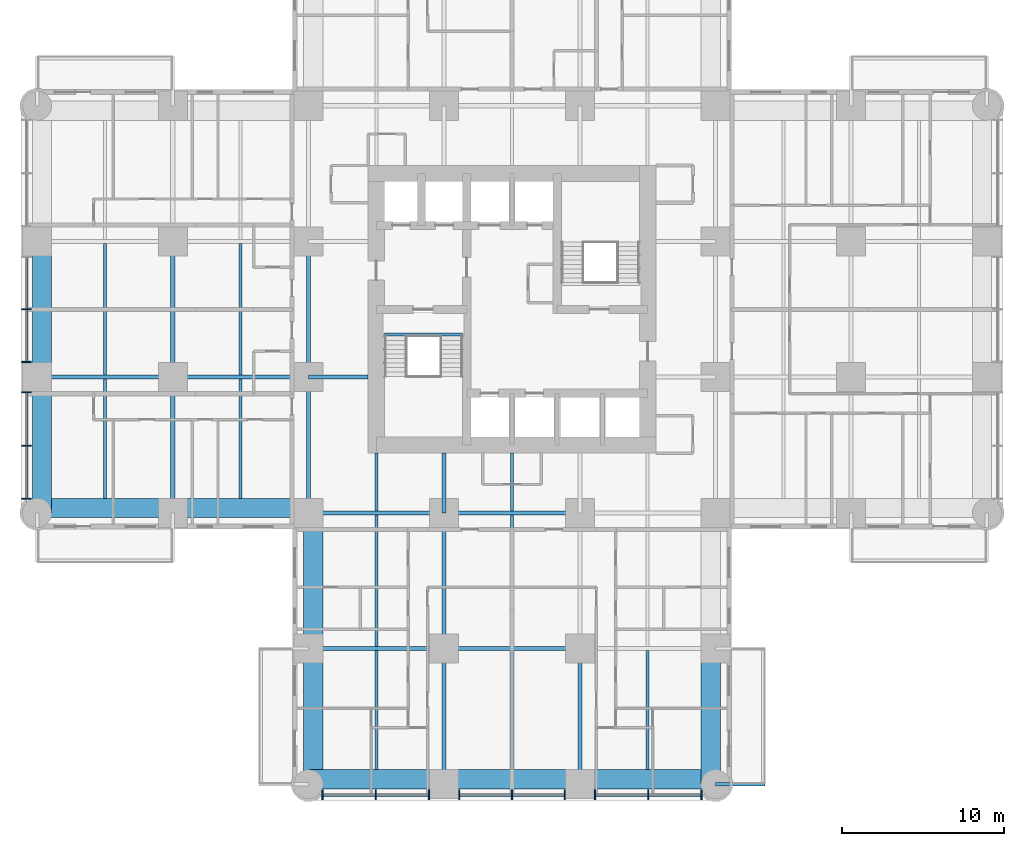
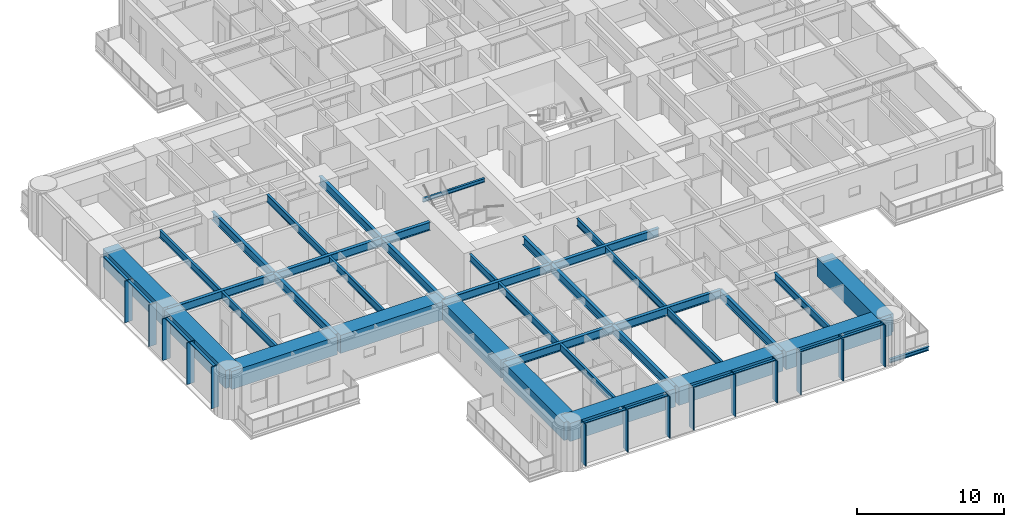
# One storey, part 2 of 17: 38 beams, 24 members, 2 elements without a shape of their own.
"""IFC4 building model written with IfcOpenShell, lengths in metres."""

from ifc_helpers import new_model, si_unit, direction, frame, origin, origin_2d, place, context, subcontext, project, spatial, rectangle, i_section, extrude, material, material_profile, profile_set, type_object, element, aggregate, save


model = new_model("IFC4")

# Units and contexts
model_context = context("Model", 3, precision=1e-05, world=origin(), true_north=direction((0.0, 1.0)))
body_context = subcontext(model_context, "Body", "Model", "MODEL_VIEW")
ifc_project = project(units=[si_unit("LENGTHUNIT", "METRE"), si_unit("AREAUNIT", "SQUARE_METRE"), si_unit("VOLUMEUNIT", "CUBIC_METRE"), si_unit("PLANEANGLEUNIT", "RADIAN"), si_unit("MASSUNIT", "GRAM", prefix="KILO")], contexts=[model_context])

# Site, building, storey
site_placement = place(None, origin())
site = spatial("IfcSite", under=ifc_project, at=site_placement, CompositionType="ELEMENT")
building_placement = place(site_placement, origin())
building = spatial("IfcBuilding", under=site, at=building_placement, Name="Torre Alcanfor", CompositionType="ELEMENT")
storey_placement = place(building_placement, frame((0.0, 0.0, 66.89990234375)))
storey = spatial("IfcBuildingStorey", under=building, at=storey_placement, Name="L16", CompositionType="ELEMENT", Elevation=66.89990234375)

# Beam
ifc_material_1 = material(Name="Steel ASTM A992 Grade 50", Category="steel")
ifc_material_profile_1 = material_profile(ifc_material_1, i_section(OverallWidth=0.205322265625, OverallDepth=0.309814453125, WebThickness=0.00927734375, FlangeThickness=0.016357421875, at=origin_2d()), Name="W12x50")
ifc_profile_set_1 = profile_set([ifc_material_profile_1], Name="Steel ASTM A992 Grade 50")
beam_type_1 = type_object("IfcBeamType", Name="Balcony cantilever beam W12x50", PredefinedType="BEAM", material=ifc_profile_set_1)
beam_1_placement = place(storey_placement, frame((42.0, 0.0, -0.354736328125), z_axis=(1.0, 0.0, 0.0), x_axis=(0.0, 1.0, 0.0)))
element("IfcBeam", 1, at=beam_1_placement, inside=storey, type_object=beam_type_1, Name="Balcony cantilever beam L16-S1 2", PredefinedType="BEAM", context=body_context, shape_type="SweptSolid", body=[
    extrude(i_section(OverallWidth=0.205322265625, OverallDepth=0.309814453125, WebThickness=0.00927734375, FlangeThickness=0.016357421875, at=origin_2d()), origin(), (0.0, 0.0, 1.0), 3.050048828125),
])

# Curtain wall, members
ifc_material_2 = material(Name="Aluminium and glass", Category="aluminium")
curtain_wall_type = type_object("IfcCurtainWallType", Name="CW-A unitised apartment glazing with vertical FIN", PredefinedType="NOTDEFINED", material=ifc_material_2)
curtain_wall_1_placement = place(storey_placement, origin())
curtain_wall_1 = element("IfcCurtainWall", 2, at=curtain_wall_1_placement, inside=storey, type_object=curtain_wall_type, Name="Curtain wall CW-A L16 2", PredefinedType="NOTDEFINED")
ifc_material_3 = material(Name="Bronze anodised aluminium", Category="aluminium")
ifc_material_profile_2 = material_profile(ifc_material_3, rectangle(XDim=0.60009765625, YDim=0.06494140625, at=origin_2d()), Name="CW-A mullion 65x600")
ifc_profile_set_2 = profile_set([ifc_material_profile_2], Name="Bronze anodised aluminium")
member_type_1 = type_object("IfcMemberType", Name="CW-A mullion with vertical FIN 65x600", PredefinedType="MULLION", material=ifc_profile_set_2)
member_1_placement = place(storey_placement, frame((-0.64990234375, 29.39990234375, 0.0), z_axis=(0.0, 0.0, 1.0), x_axis=(1.0, 0.0, 0.0)))
member_1 = element("IfcMember", 3, at=member_1_placement, type_object=member_type_1, Name="CW-A mullion 2.2", PredefinedType="MULLION", context=body_context, shape_type="SweptSolid", body=[
    extrude(rectangle(XDim=0.60009765625, YDim=0.06494140625, at=origin_2d()), origin(), (0.0, 0.0, 1.0), 3.4501953125),
])
member_2_placement = place(storey_placement, frame((-0.64990234375, 26.137451171875, 0.0), z_axis=(0.0, 0.0, 1.0), x_axis=(1.0, 0.0, 0.0)))
member_2 = element("IfcMember", 4, at=member_2_placement, type_object=member_type_1, Name="CW-A mullion 2.3", PredefinedType="MULLION", context=body_context, shape_type="SweptSolid", body=[
    extrude(rectangle(XDim=0.60009765625, YDim=0.06494140625, at=origin_2d()), origin(), (0.0, 0.0, 1.0), 3.4501953125),
])
member_3_placement = place(storey_placement, frame((-0.64990234375, 24.262451171875, 0.0), z_axis=(0.0, 0.0, 1.0), x_axis=(1.0, 0.0, 0.0)))
member_3 = element("IfcMember", 5, at=member_3_placement, type_object=member_type_1, Name="CW-A mullion 3.1", PredefinedType="MULLION", context=body_context, shape_type="SweptSolid", body=[
    extrude(rectangle(XDim=0.60009765625, YDim=0.06494140625, at=origin_2d()), origin(), (0.0, 0.0, 1.0), 3.4501953125),
])
member_4_placement = place(storey_placement, frame((-0.64990234375, 20.96484375, 0.0), z_axis=(0.0, 0.0, 1.0), x_axis=(1.0, 0.0, 0.0)))
member_4 = element("IfcMember", 6, at=member_4_placement, type_object=member_type_1, Name="CW-A mullion 3.2", PredefinedType="MULLION", context=body_context, shape_type="SweptSolid", body=[
    extrude(rectangle(XDim=0.60009765625, YDim=0.06494140625, at=origin_2d()), origin(), (0.0, 0.0, 1.0), 3.4501953125),
])
member_5_placement = place(storey_placement, frame((-0.64990234375, 17.6669921875, 0.0), z_axis=(0.0, 0.0, 1.0), x_axis=(1.0, 0.0, 0.0)))
member_5 = element("IfcMember", 7, at=member_5_placement, type_object=member_type_1, Name="CW-A mullion 3.3", PredefinedType="MULLION", context=body_context, shape_type="SweptSolid", body=[
    extrude(rectangle(XDim=0.60009765625, YDim=0.06494140625, at=origin_2d()), origin(), (0.0, 0.0, 1.0), 3.4501953125),
])

curtain_wall_2_placement = place(storey_placement, origin())
curtain_wall_2 = element("IfcCurtainWall", 8, at=curtain_wall_2_placement, inside=storey, type_object=curtain_wall_type, Name="Curtain wall CW-A L16 5", PredefinedType="NOTDEFINED")
member_6_placement = place(storey_placement, frame((17.6669921875, -0.64990234375, 0.0), z_axis=(0.0, 0.0, 1.0), x_axis=(0.0, 1.0, 0.0)))
member_6 = element("IfcMember", 9, at=member_6_placement, type_object=member_type_1, Name="CW-A mullion 1.1", PredefinedType="MULLION", context=body_context, shape_type="SweptSolid", body=[
    extrude(rectangle(XDim=0.60009765625, YDim=0.06494140625, at=origin_2d()), origin(), (0.0, 0.0, 1.0), 3.4501953125),
])
member_7_placement = place(storey_placement, frame((20.96484375, -0.64990234375, 0.0), z_axis=(0.0, 0.0, 1.0), x_axis=(0.0, 1.0, 0.0)))
member_7 = element("IfcMember", 10, at=member_7_placement, type_object=member_type_1, Name="CW-A mullion 1.2", PredefinedType="MULLION", context=body_context, shape_type="SweptSolid", body=[
    extrude(rectangle(XDim=0.60009765625, YDim=0.06494140625, at=origin_2d()), origin(), (0.0, 0.0, 1.0), 3.4501953125),
])
member_8_placement = place(storey_placement, frame((24.262451171875, -0.64990234375, 0.0), z_axis=(0.0, 0.0, 1.0), x_axis=(0.0, 1.0, 0.0)))
member_8 = element("IfcMember", 11, at=member_8_placement, type_object=member_type_1, Name="CW-A mullion 1.3", PredefinedType="MULLION", context=body_context, shape_type="SweptSolid", body=[
    extrude(rectangle(XDim=0.60009765625, YDim=0.06494140625, at=origin_2d()), origin(), (0.0, 0.0, 1.0), 3.4501953125),
])
member_9_placement = place(storey_placement, frame((26.137451171875, -0.64990234375, 0.0), z_axis=(0.0, 0.0, 1.0), x_axis=(0.0, 1.0, 0.0)))
member_9 = element("IfcMember", 12, at=member_9_placement, type_object=member_type_1, Name="CW-A mullion 2.1", PredefinedType="MULLION", context=body_context, shape_type="SweptSolid", body=[
    extrude(rectangle(XDim=0.60009765625, YDim=0.06494140625, at=origin_2d()), origin(), (0.0, 0.0, 1.0), 3.4501953125),
])
member_10_placement = place(storey_placement, frame((29.39990234375, -0.64990234375, 0.0), z_axis=(0.0, 0.0, 1.0), x_axis=(0.0, 1.0, 0.0)))
member_10 = element("IfcMember", 13, at=member_10_placement, type_object=member_type_1, Name="CW-A mullion 2.2", PredefinedType="MULLION", context=body_context, shape_type="SweptSolid", body=[
    extrude(rectangle(XDim=0.60009765625, YDim=0.06494140625, at=origin_2d()), origin(), (0.0, 0.0, 1.0), 3.4501953125),
])
member_11_placement = place(storey_placement, frame((32.66259765625, -0.64990234375, 0.0), z_axis=(0.0, 0.0, 1.0), x_axis=(0.0, 1.0, 0.0)))
member_11 = element("IfcMember", 14, at=member_11_placement, type_object=member_type_1, Name="CW-A mullion 2.3", PredefinedType="MULLION", context=body_context, shape_type="SweptSolid", body=[
    extrude(rectangle(XDim=0.60009765625, YDim=0.06494140625, at=origin_2d()), origin(), (0.0, 0.0, 1.0), 3.4501953125),
])
member_12_placement = place(storey_placement, frame((34.53759765625, -0.64990234375, 0.0), z_axis=(0.0, 0.0, 1.0), x_axis=(0.0, 1.0, 0.0)))
member_12 = element("IfcMember", 15, at=member_12_placement, type_object=member_type_1, Name="CW-A mullion 3.1", PredefinedType="MULLION", context=body_context, shape_type="SweptSolid", body=[
    extrude(rectangle(XDim=0.60009765625, YDim=0.06494140625, at=origin_2d()), origin(), (0.0, 0.0, 1.0), 3.4501953125),
])
member_13_placement = place(storey_placement, frame((37.835205078125, -0.64990234375, 0.0), z_axis=(0.0, 0.0, 1.0), x_axis=(0.0, 1.0, 0.0)))
member_13 = element("IfcMember", 16, at=member_13_placement, type_object=member_type_1, Name="CW-A mullion 3.2", PredefinedType="MULLION", context=body_context, shape_type="SweptSolid", body=[
    extrude(rectangle(XDim=0.60009765625, YDim=0.06494140625, at=origin_2d()), origin(), (0.0, 0.0, 1.0), 3.4501953125),
])
member_14_placement = place(storey_placement, frame((41.133056640625, -0.64990234375, 0.0), z_axis=(0.0, 0.0, 1.0), x_axis=(0.0, 1.0, 0.0)))
member_14 = element("IfcMember", 17, at=member_14_placement, type_object=member_type_1, Name="CW-A mullion 3.3", PredefinedType="MULLION", context=body_context, shape_type="SweptSolid", body=[
    extrude(rectangle(XDim=0.60009765625, YDim=0.06494140625, at=origin_2d()), origin(), (0.0, 0.0, 1.0), 3.4501953125),
])

# Member
ifc_material_4 = material(Name="Extruded aluminium", Category="aluminium")
ifc_material_profile_3 = material_profile(ifc_material_4, rectangle(XDim=0.199951171875, YDim=0.06494140625, at=origin_2d()), Name="CW-A transom 200x65")
ifc_profile_set_3 = profile_set([ifc_material_profile_3], Name="Extruded aluminium")
member_type_2 = type_object("IfcMemberType", Name="CW-A transom 65x200", PredefinedType="USERDEFINED", material=ifc_profile_set_3)
member_15_placement = place(storey_placement, frame((-0.64990234375, 32.6298828125, 3.41748046875), z_axis=(0.0, -1.0, 0.0), x_axis=(1.0, 0.0, 0.0)))
member_15 = element("IfcMember", 18, at=member_15_placement, type_object=member_type_2, Name="CW-A transom 2.1.2", ObjectType="TRANSOM", PredefinedType="USERDEFINED", context=body_context, shape_type="SweptSolid", body=[
    extrude(rectangle(XDim=0.199951171875, YDim=0.06494140625, at=origin_2d()), origin(), (0.0, 0.0, 1.0), 3.197265625),
])

member_16_placement = place(storey_placement, frame((-0.64990234375, 29.367431640625, 3.41748046875), z_axis=(0.0, -1.0, 0.0), x_axis=(1.0, 0.0, 0.0)))
member_16 = element("IfcMember", 19, at=member_16_placement, type_object=member_type_2, Name="CW-A transom 2.2.2", ObjectType="TRANSOM", PredefinedType="USERDEFINED", context=body_context, shape_type="SweptSolid", body=[
    extrude(rectangle(XDim=0.199951171875, YDim=0.06494140625, at=origin_2d()), origin(), (0.0, 0.0, 1.0), 3.197509765625),
])

member_17_placement = place(storey_placement, frame((-0.64990234375, 24.22998046875, 3.41748046875), z_axis=(0.0, -1.0, 0.0), x_axis=(1.0, 0.0, 0.0)))
member_17 = element("IfcMember", 20, at=member_17_placement, type_object=member_type_2, Name="CW-A transom 3.1.2", ObjectType="TRANSOM", PredefinedType="USERDEFINED", context=body_context, shape_type="SweptSolid", body=[
    extrude(rectangle(XDim=0.199951171875, YDim=0.06494140625, at=origin_2d()), origin(), (0.0, 0.0, 1.0), 3.232666015625),
])

member_18_placement = place(storey_placement, frame((-0.64990234375, 20.93212890625, 3.41748046875), z_axis=(0.0, -1.0, 0.0), x_axis=(1.0, 0.0, 0.0)))
member_18 = element("IfcMember", 21, at=member_18_placement, type_object=member_type_2, Name="CW-A transom 3.2.2", ObjectType="TRANSOM", PredefinedType="USERDEFINED", context=body_context, shape_type="SweptSolid", body=[
    extrude(rectangle(XDim=0.199951171875, YDim=0.06494140625, at=origin_2d()), origin(), (0.0, 0.0, 1.0), 3.232666015625),
])

aggregate(curtain_wall_1, [member_1, member_2, member_15, member_16, member_3, member_4, member_5, member_17, member_18])

member_19_placement = place(storey_placement, frame((17.699462890625, -0.64990234375, 3.41748046875), z_axis=(1.0, 0.0, 0.0), x_axis=(0.0, 1.0, 0.0)))
member_19 = element("IfcMember", 22, at=member_19_placement, type_object=member_type_2, Name="CW-A transom 1.1.2", ObjectType="TRANSOM", PredefinedType="USERDEFINED", context=body_context, shape_type="SweptSolid", body=[
    extrude(rectangle(XDim=0.199951171875, YDim=0.06494140625, at=origin_2d()), origin(), (0.0, 0.0, 1.0), 3.232666015625),
])

member_20_placement = place(storey_placement, frame((20.997314453125, -0.64990234375, 3.41748046875), z_axis=(1.0, 0.0, 0.0), x_axis=(0.0, 1.0, 0.0)))
member_20 = element("IfcMember", 23, at=member_20_placement, type_object=member_type_2, Name="CW-A transom 1.2.2", ObjectType="TRANSOM", PredefinedType="USERDEFINED", context=body_context, shape_type="SweptSolid", body=[
    extrude(rectangle(XDim=0.199951171875, YDim=0.06494140625, at=origin_2d()), origin(), (0.0, 0.0, 1.0), 3.232666015625),
])

member_21_placement = place(storey_placement, frame((26.169921875, -0.64990234375, 3.41748046875), z_axis=(1.0, 0.0, 0.0), x_axis=(0.0, 1.0, 0.0)))
member_21 = element("IfcMember", 24, at=member_21_placement, type_object=member_type_2, Name="CW-A transom 2.1.2", ObjectType="TRANSOM", PredefinedType="USERDEFINED", context=body_context, shape_type="SweptSolid", body=[
    extrude(rectangle(XDim=0.199951171875, YDim=0.06494140625, at=origin_2d()), origin(), (0.0, 0.0, 1.0), 3.197509765625),
])

member_22_placement = place(storey_placement, frame((29.4326171875, -0.64990234375, 3.41748046875), z_axis=(1.0, 0.0, 0.0), x_axis=(0.0, 1.0, 0.0)))
member_22 = element("IfcMember", 25, at=member_22_placement, type_object=member_type_2, Name="CW-A transom 2.2.2", ObjectType="TRANSOM", PredefinedType="USERDEFINED", context=body_context, shape_type="SweptSolid", body=[
    extrude(rectangle(XDim=0.199951171875, YDim=0.06494140625, at=origin_2d()), origin(), (0.0, 0.0, 1.0), 3.197265625),
])

member_23_placement = place(storey_placement, frame((34.570068359375, -0.64990234375, 3.41748046875), z_axis=(1.0, 0.0, 0.0), x_axis=(0.0, 1.0, 0.0)))
member_23 = element("IfcMember", 26, at=member_23_placement, type_object=member_type_2, Name="CW-A transom 3.1.2", ObjectType="TRANSOM", PredefinedType="USERDEFINED", context=body_context, shape_type="SweptSolid", body=[
    extrude(rectangle(XDim=0.199951171875, YDim=0.06494140625, at=origin_2d()), origin(), (0.0, 0.0, 1.0), 3.232666015625),
])

member_24_placement = place(storey_placement, frame((37.86767578125, -0.64990234375, 3.41748046875), z_axis=(1.0, 0.0, 0.0), x_axis=(0.0, 1.0, 0.0)))
member_24 = element("IfcMember", 27, at=member_24_placement, type_object=member_type_2, Name="CW-A transom 3.2.2", ObjectType="TRANSOM", PredefinedType="USERDEFINED", context=body_context, shape_type="SweptSolid", body=[
    extrude(rectangle(XDim=0.199951171875, YDim=0.06494140625, at=origin_2d()), origin(), (0.0, 0.0, 1.0), 3.23291015625),
])

aggregate(curtain_wall_2, [member_6, member_7, member_8, member_19, member_20, member_9, member_10, member_11, member_21, member_22, member_12, member_13, member_14, member_23, member_24])

# Beams
ifc_material_5 = material(Name="Steel ASTM A992 Grade 50", Category="steel")
ifc_material_profile_4 = material_profile(ifc_material_5, i_section(OverallWidth=0.25390625, OverallDepth=0.683349609375, WebThickness=0.012451171875, FlangeThickness=0.01904296875, at=origin_2d()), Name="W27x94")
ifc_profile_set_4 = profile_set([ifc_material_profile_4], Name="Steel ASTM A992 Grade 50")
beam_type_2 = type_object("IfcBeamType", Name="Girder W27x94", PredefinedType="BEAM", material=ifc_profile_set_4)
beam_2_placement = place(storey_placement, frame((16.800048828125, 8.39990234375, 3.1083984375), z_axis=(1.0, 0.0, 0.0), x_axis=(0.0, 1.0, 0.0)))
element("IfcBeam", 28, at=beam_2_placement, inside=storey, type_object=beam_type_2, Name="Beam 3D-4D under L17", PredefinedType="BEAM", context=body_context, shape_type="SweptSolid", body=[
    extrude(i_section(OverallWidth=0.25390625, OverallDepth=0.683349609375, WebThickness=0.012451171875, FlangeThickness=0.01904296875, at=origin_2d()), origin(), (0.0, 0.0, 1.0), 8.39990234375),
])
beam_3_placement = place(storey_placement, frame((25.199951171875, 8.39990234375, 3.1083984375), z_axis=(1.0, 0.0, 0.0), x_axis=(0.0, 1.0, 0.0)))
element("IfcBeam", 29, at=beam_3_placement, inside=storey, type_object=beam_type_2, Name="Beam 4D-5D under L17", PredefinedType="BEAM", context=body_context, shape_type="SweptSolid", body=[
    extrude(i_section(OverallWidth=0.25390625, OverallDepth=0.683349609375, WebThickness=0.012451171875, FlangeThickness=0.01904296875, at=origin_2d()), origin(), (0.0, 0.0, 1.0), 8.400146484375),
])
beam_4_placement = place(storey_placement, frame((16.800048828125, 16.800048828125, 3.1083984375), z_axis=(1.0, 0.0, 0.0), x_axis=(0.0, 1.0, 0.0)))
element("IfcBeam", 30, at=beam_4_placement, inside=storey, type_object=beam_type_2, Name="Beam 3E-4E under L17", PredefinedType="BEAM", context=body_context, shape_type="SweptSolid", body=[
    extrude(i_section(OverallWidth=0.25390625, OverallDepth=0.683349609375, WebThickness=0.012451171875, FlangeThickness=0.01904296875, at=origin_2d()), origin(), (0.0, 0.0, 1.0), 8.39990234375),
])
beam_5_placement = place(storey_placement, frame((25.199951171875, 16.800048828125, 3.1083984375), z_axis=(1.0, 0.0, 0.0), x_axis=(0.0, 1.0, 0.0)))
element("IfcBeam", 31, at=beam_5_placement, inside=storey, type_object=beam_type_2, Name="Beam 4E-5E under L17", PredefinedType="BEAM", context=body_context, shape_type="SweptSolid", body=[
    extrude(i_section(OverallWidth=0.25390625, OverallDepth=0.683349609375, WebThickness=0.012451171875, FlangeThickness=0.01904296875, at=origin_2d()), origin(), (0.0, 0.0, 1.0), 8.400146484375),
])
beam_6_placement = place(storey_placement, frame((0.0, 25.199951171875, 3.1083984375), z_axis=(1.0, 0.0, 0.0), x_axis=(0.0, 1.0, 0.0)))
element("IfcBeam", 32, at=beam_6_placement, inside=storey, type_object=beam_type_2, Name="Beam 1F-2F under L17", PredefinedType="BEAM", context=body_context, shape_type="SweptSolid", body=[
    extrude(i_section(OverallWidth=0.25390625, OverallDepth=0.683349609375, WebThickness=0.012451171875, FlangeThickness=0.01904296875, at=origin_2d()), origin(), (0.0, 0.0, 1.0), 8.39990234375),
])
beam_7_placement = place(storey_placement, frame((8.39990234375, 25.199951171875, 3.1083984375), z_axis=(1.0, 0.0, 0.0), x_axis=(0.0, 1.0, 0.0)))
element("IfcBeam", 33, at=beam_7_placement, inside=storey, type_object=beam_type_2, Name="Beam 2F-3F under L17", PredefinedType="BEAM", context=body_context, shape_type="SweptSolid", body=[
    extrude(i_section(OverallWidth=0.25390625, OverallDepth=0.683349609375, WebThickness=0.012451171875, FlangeThickness=0.01904296875, at=origin_2d()), origin(), (0.0, 0.0, 1.0), 8.400146484375),
])
beam_8_placement = place(storey_placement, frame((8.39990234375, 16.800048828125, 3.1083984375), z_axis=(0.0, 1.0, 0.0), x_axis=(-1.0, 0.0, 0.0)))
element("IfcBeam", 34, at=beam_8_placement, inside=storey, type_object=beam_type_2, Name="Beam 2E-2F under L17", PredefinedType="BEAM", context=body_context, shape_type="SweptSolid", body=[
    extrude(i_section(OverallWidth=0.25390625, OverallDepth=0.683349609375, WebThickness=0.012451171875, FlangeThickness=0.01904296875, at=origin_2d()), origin(), (0.0, 0.0, 1.0), 8.39990234375),
])
beam_9_placement = place(storey_placement, frame((8.39990234375, 25.199951171875, 3.1083984375), z_axis=(0.0, 1.0, 0.0), x_axis=(-1.0, 0.0, 0.0)))
element("IfcBeam", 35, at=beam_9_placement, inside=storey, type_object=beam_type_2, Name="Beam 2F-2G under L17", PredefinedType="BEAM", context=body_context, shape_type="SweptSolid", body=[
    extrude(i_section(OverallWidth=0.25390625, OverallDepth=0.683349609375, WebThickness=0.012451171875, FlangeThickness=0.01904296875, at=origin_2d()), origin(), (0.0, 0.0, 1.0), 8.400146484375),
])
beam_10_placement = place(storey_placement, frame((16.800048828125, 16.800048828125, 3.1083984375), z_axis=(0.0, 1.0, 0.0), x_axis=(-1.0, 0.0, 0.0)))
element("IfcBeam", 36, at=beam_10_placement, inside=storey, type_object=beam_type_2, Name="Beam 3E-3F under L17", PredefinedType="BEAM", context=body_context, shape_type="SweptSolid", body=[
    extrude(i_section(OverallWidth=0.25390625, OverallDepth=0.683349609375, WebThickness=0.012451171875, FlangeThickness=0.01904296875, at=origin_2d()), origin(), (0.0, 0.0, 1.0), 8.39990234375),
])
beam_11_placement = place(storey_placement, frame((16.800048828125, 25.199951171875, 3.1083984375), z_axis=(0.0, 1.0, 0.0), x_axis=(-1.0, 0.0, 0.0)))
element("IfcBeam", 37, at=beam_11_placement, inside=storey, type_object=beam_type_2, Name="Beam 3F-3G under L17", PredefinedType="BEAM", context=body_context, shape_type="SweptSolid", body=[
    extrude(i_section(OverallWidth=0.25390625, OverallDepth=0.683349609375, WebThickness=0.012451171875, FlangeThickness=0.01904296875, at=origin_2d()), origin(), (0.0, 0.0, 1.0), 8.400146484375),
])
beam_12_placement = place(storey_placement, frame((25.199951171875, 0.0, 3.1083984375), z_axis=(0.0, 1.0, 0.0), x_axis=(-1.0, 0.0, 0.0)))
element("IfcBeam", 38, at=beam_12_placement, inside=storey, type_object=beam_type_2, Name="Beam 4C-4D under L17", PredefinedType="BEAM", context=body_context, shape_type="SweptSolid", body=[
    extrude(i_section(OverallWidth=0.25390625, OverallDepth=0.683349609375, WebThickness=0.012451171875, FlangeThickness=0.01904296875, at=origin_2d()), origin(), (0.0, 0.0, 1.0), 8.39990234375),
])
beam_13_placement = place(storey_placement, frame((25.199951171875, 8.39990234375, 3.1083984375), z_axis=(0.0, 1.0, 0.0), x_axis=(-1.0, 0.0, 0.0)))
element("IfcBeam", 39, at=beam_13_placement, inside=storey, type_object=beam_type_2, Name="Beam 4D-4E under L17", PredefinedType="BEAM", context=body_context, shape_type="SweptSolid", body=[
    extrude(i_section(OverallWidth=0.25390625, OverallDepth=0.683349609375, WebThickness=0.012451171875, FlangeThickness=0.01904296875, at=origin_2d()), origin(), (0.0, 0.0, 1.0), 8.400146484375),
])
beam_14_placement = place(storey_placement, frame((33.60009765625, 0.0, 3.1083984375), z_axis=(0.0, 1.0, 0.0), x_axis=(-1.0, 0.0, 0.0)))
element("IfcBeam", 40, at=beam_14_placement, inside=storey, type_object=beam_type_2, Name="Beam 5C-5D under L17", PredefinedType="BEAM", context=body_context, shape_type="SweptSolid", body=[
    extrude(i_section(OverallWidth=0.25390625, OverallDepth=0.683349609375, WebThickness=0.012451171875, FlangeThickness=0.01904296875, at=origin_2d()), origin(), (0.0, 0.0, 1.0), 8.39990234375),
])
ifc_material_6 = material(Name="Steel ASTM A992 Grade 50", Category="steel")
ifc_material_profile_5 = material_profile(ifc_material_6, i_section(OverallWidth=0.25390625, OverallDepth=0.683349609375, WebThickness=0.012451171875, FlangeThickness=0.01904296875, at=origin_2d()), Name="W27x94")
ifc_profile_set_5 = profile_set([ifc_material_profile_5], Name="Steel ASTM A992 Grade 50")
beam_type_3 = type_object("IfcBeamType", Name="Girder, part bay W27x94", PredefinedType="BEAM", material=ifc_profile_set_5)
for number, where, z_axis, x_axis, name in (
    (41, (25.199951171875, 16.800048828125, 3.1083984375), (0.0, 1.0, 0.0), (-1.0, 0.0, 0.0), "Beam 4E-420_5 under L17"),
    (42, (16.800048828125, 25.199951171875, 3.1083984375), (1.0, 0.0, 0.0), (0.0, 1.0, 0.0), "Beam 3F-20_5F under L17"),
):
    element("IfcBeam", number, at=place(storey_placement, frame(where, z_axis=z_axis, x_axis=x_axis)), inside=storey, type_object=beam_type_3, Name=name, PredefinedType="BEAM", context=body_context, shape_type="SweptSolid", body=[
        extrude(i_section(OverallWidth=0.25390625, OverallDepth=0.683349609375, WebThickness=0.012451171875, FlangeThickness=0.01904296875, at=origin_2d()), origin(), (0.0, 0.0, 1.0), 3.699951171875),
    ])
ifc_material_7 = material(Name="Concrete f'c 70 MPa", Category="concrete")
ifc_material_profile_6 = material_profile(ifc_material_7, rectangle(XDim=1.199951171875, YDim=1.5, at=origin_2d()), Name="1200x1500")
ifc_profile_set_6 = profile_set([ifc_material_profile_6], Name="Concrete f'c 70 MPa")
beam_type_4 = type_object("IfcBeamType", Name="RC perimeter beam 1200x1500", PredefinedType="BEAM", material=ifc_profile_set_6)
beam_15_placement = place(storey_placement, frame((16.800048828125, 0.300048828125, 2.7001953125), z_axis=(1.0, 0.0, 0.0), x_axis=(0.0, 1.0, 0.0)))
element("IfcBeam", 43, at=beam_15_placement, inside=storey, type_object=beam_type_4, Name="Beam 3C-4C under L17", PredefinedType="BEAM", context=body_context, shape_type="SweptSolid", body=[
    extrude(rectangle(XDim=1.199951171875, YDim=1.5, at=origin_2d()), origin(), (0.0, 0.0, 1.0), 8.27294921875),
])
beam_16_placement = place(storey_placement, frame((25.326904296875, 0.300048828125, 2.7001953125), z_axis=(1.0, 0.0, 0.0), x_axis=(0.0, 1.0, 0.0)))
element("IfcBeam", 44, at=beam_16_placement, inside=storey, type_object=beam_type_4, Name="Beam 4C-5C under L17", PredefinedType="BEAM", context=body_context, shape_type="SweptSolid", body=[
    extrude(rectangle(XDim=1.199951171875, YDim=1.5, at=origin_2d()), origin(), (0.0, 0.0, 1.0), 8.14599609375),
])
for number, where, z_axis, x_axis, name in (
    (45, (33.72705078125, 0.300048828125, 2.7001953125), (1.0, 0.0, 0.0), (0.0, 1.0, 0.0), "Beam 5C-6C under L17"),
    (46, (0.0, 17.10009765625, 2.7001953125), (1.0, 0.0, 0.0), (0.0, 1.0, 0.0), "Beam 1E-2E under L17"),
):
    element("IfcBeam", number, at=place(storey_placement, frame(where, z_axis=z_axis, x_axis=x_axis)), inside=storey, type_object=beam_type_4, Name=name, PredefinedType="BEAM", context=body_context, shape_type="SweptSolid", body=[
        extrude(rectangle(XDim=1.199951171875, YDim=1.5, at=origin_2d()), origin(), (0.0, 0.0, 1.0), 8.27294921875),
    ])
beam_17_placement = place(storey_placement, frame((8.527099609375, 17.10009765625, 2.7001953125), z_axis=(1.0, 0.0, 0.0), x_axis=(0.0, 1.0, 0.0)))
element("IfcBeam", 47, at=beam_17_placement, inside=storey, type_object=beam_type_4, Name="Beam 2E-3E under L17", PredefinedType="BEAM", context=body_context, shape_type="SweptSolid", body=[
    extrude(rectangle(XDim=1.199951171875, YDim=1.5, at=origin_2d()), origin(), (0.0, 0.0, 1.0), 8.14599609375),
])
beam_18_placement = place(storey_placement, frame((0.300048828125, 16.800048828125, 2.7001953125), z_axis=(0.0, 1.0, 0.0), x_axis=(-1.0, 0.0, 0.0)))
element("IfcBeam", 48, at=beam_18_placement, inside=storey, type_object=beam_type_4, Name="Beam 1E-1F under L17", PredefinedType="BEAM", context=body_context, shape_type="SweptSolid", body=[
    extrude(rectangle(XDim=1.199951171875, YDim=1.5, at=origin_2d()), origin(), (0.0, 0.0, 1.0), 8.27294921875),
])
beam_19_placement = place(storey_placement, frame((0.300048828125, 25.326904296875, 2.7001953125), z_axis=(0.0, 1.0, 0.0), x_axis=(-1.0, 0.0, 0.0)))
element("IfcBeam", 49, at=beam_19_placement, inside=storey, type_object=beam_type_4, Name="Beam 1F-1G under L17", PredefinedType="BEAM", context=body_context, shape_type="SweptSolid", body=[
    extrude(rectangle(XDim=1.199951171875, YDim=1.5, at=origin_2d()), origin(), (0.0, 0.0, 1.0), 8.14599609375),
])
beam_20_placement = place(storey_placement, frame((17.10009765625, 0.0, 2.7001953125), z_axis=(0.0, 1.0, 0.0), x_axis=(-1.0, 0.0, 0.0)))
element("IfcBeam", 50, at=beam_20_placement, inside=storey, type_object=beam_type_4, Name="Beam 3C-3D under L17", PredefinedType="BEAM", context=body_context, shape_type="SweptSolid", body=[
    extrude(rectangle(XDim=1.199951171875, YDim=1.5, at=origin_2d()), origin(), (0.0, 0.0, 1.0), 8.27294921875),
])
beam_21_placement = place(storey_placement, frame((17.10009765625, 8.527099609375, 2.7001953125), z_axis=(0.0, 1.0, 0.0), x_axis=(-1.0, 0.0, 0.0)))
element("IfcBeam", 51, at=beam_21_placement, inside=storey, type_object=beam_type_4, Name="Beam 3D-3E under L17", PredefinedType="BEAM", context=body_context, shape_type="SweptSolid", body=[
    extrude(rectangle(XDim=1.199951171875, YDim=1.5, at=origin_2d()), origin(), (0.0, 0.0, 1.0), 8.14599609375),
])
beam_22_placement = place(storey_placement, frame((41.699951171875, 0.0, 2.7001953125), z_axis=(0.0, 1.0, 0.0), x_axis=(-1.0, 0.0, 0.0)))
element("IfcBeam", 52, at=beam_22_placement, inside=storey, type_object=beam_type_4, Name="Beam 6C-6D under L17", PredefinedType="BEAM", context=body_context, shape_type="SweptSolid", body=[
    extrude(rectangle(XDim=1.199951171875, YDim=1.5, at=origin_2d()), origin(), (0.0, 0.0, 1.0), 8.27294921875),
])
ifc_material_8 = material(Name="Steel ASTM A992 Grade 50", Category="steel")
ifc_material_profile_7 = material_profile(ifc_material_8, i_section(OverallWidth=0.1787109375, OverallDepth=0.60205078125, WebThickness=0.010986328125, FlangeThickness=0.014892578125, at=origin_2d()), Name="W24x62")
ifc_profile_set_7 = profile_set([ifc_material_profile_7], Name="Steel ASTM A992 Grade 50")
beam_type_5 = type_object("IfcBeamType", Name="Secondary beam W24x62", PredefinedType="BEAM", material=ifc_profile_set_7)
beam_23_placement = place(storey_placement, frame((4.199951171875, 17.699951171875, 3.149169921875), z_axis=(0.0, 1.0, 0.0), x_axis=(-1.0, 0.0, 0.0)))
element("IfcBeam", 53, at=beam_23_placement, inside=storey, type_object=beam_type_5, Name="Beam 4_2E-4_2F under L17", PredefinedType="BEAM", context=body_context, shape_type="SweptSolid", body=[
    extrude(i_section(OverallWidth=0.1787109375, OverallDepth=0.60205078125, WebThickness=0.010986328125, FlangeThickness=0.014892578125, at=origin_2d()), origin(), (0.0, 0.0, 1.0), 7.373046875),
])
beam_24_placement = place(storey_placement, frame((4.199951171875, 25.326904296875, 3.149169921875), z_axis=(0.0, 1.0, 0.0), x_axis=(-1.0, 0.0, 0.0)))
element("IfcBeam", 54, at=beam_24_placement, inside=storey, type_object=beam_type_5, Name="Beam 4_2F-4_2G under L17", PredefinedType="BEAM", context=body_context, shape_type="SweptSolid", body=[
    extrude(i_section(OverallWidth=0.1787109375, OverallDepth=0.60205078125, WebThickness=0.010986328125, FlangeThickness=0.014892578125, at=origin_2d()), origin(), (0.0, 0.0, 1.0), 8.14599609375),
])
beam_25_placement = place(storey_placement, frame((12.60009765625, 17.699951171875, 3.149169921875), z_axis=(0.0, 1.0, 0.0), x_axis=(-1.0, 0.0, 0.0)))
element("IfcBeam", 55, at=beam_25_placement, inside=storey, type_object=beam_type_5, Name="Beam 12_6E-12_6F under L17", PredefinedType="BEAM", context=body_context, shape_type="SweptSolid", body=[
    extrude(i_section(OverallWidth=0.1787109375, OverallDepth=0.60205078125, WebThickness=0.010986328125, FlangeThickness=0.014892578125, at=origin_2d()), origin(), (0.0, 0.0, 1.0), 7.373046875),
])
beam_26_placement = place(storey_placement, frame((12.60009765625, 25.326904296875, 3.149169921875), z_axis=(0.0, 1.0, 0.0), x_axis=(-1.0, 0.0, 0.0)))
element("IfcBeam", 56, at=beam_26_placement, inside=storey, type_object=beam_type_5, Name="Beam 12_6F-12_6G under L17", PredefinedType="BEAM", context=body_context, shape_type="SweptSolid", body=[
    extrude(i_section(OverallWidth=0.1787109375, OverallDepth=0.60205078125, WebThickness=0.010986328125, FlangeThickness=0.014892578125, at=origin_2d()), origin(), (0.0, 0.0, 1.0), 8.14599609375),
])
beam_27_placement = place(storey_placement, frame((21.0, 0.89990234375, 3.149169921875), z_axis=(0.0, 1.0, 0.0), x_axis=(-1.0, 0.0, 0.0)))
element("IfcBeam", 57, at=beam_27_placement, inside=storey, type_object=beam_type_5, Name="Beam 21C-21D under L17", PredefinedType="BEAM", context=body_context, shape_type="SweptSolid", body=[
    extrude(i_section(OverallWidth=0.1787109375, OverallDepth=0.60205078125, WebThickness=0.010986328125, FlangeThickness=0.014892578125, at=origin_2d()), origin(), (0.0, 0.0, 1.0), 7.373046875),
])
beam_28_placement = place(storey_placement, frame((21.0, 8.527099609375, 3.149169921875), z_axis=(0.0, 1.0, 0.0), x_axis=(-1.0, 0.0, 0.0)))
element("IfcBeam", 58, at=beam_28_placement, inside=storey, type_object=beam_type_5, Name="Beam 21D-21E under L17", PredefinedType="BEAM", context=body_context, shape_type="SweptSolid", body=[
    extrude(i_section(OverallWidth=0.1787109375, OverallDepth=0.60205078125, WebThickness=0.010986328125, FlangeThickness=0.014892578125, at=origin_2d()), origin(), (0.0, 0.0, 1.0), 8.14599609375),
])
beam_29_placement = place(storey_placement, frame((29.39990234375, 0.89990234375, 3.149169921875), z_axis=(0.0, 1.0, 0.0), x_axis=(-1.0, 0.0, 0.0)))
element("IfcBeam", 59, at=beam_29_placement, inside=storey, type_object=beam_type_5, Name="Beam 29_4C-29_4D under L17", PredefinedType="BEAM", context=body_context, shape_type="SweptSolid", body=[
    extrude(i_section(OverallWidth=0.1787109375, OverallDepth=0.60205078125, WebThickness=0.010986328125, FlangeThickness=0.014892578125, at=origin_2d()), origin(), (0.0, 0.0, 1.0), 7.373046875),
])
beam_30_placement = place(storey_placement, frame((29.39990234375, 8.527099609375, 3.149169921875), z_axis=(0.0, 1.0, 0.0), x_axis=(-1.0, 0.0, 0.0)))
element("IfcBeam", 60, at=beam_30_placement, inside=storey, type_object=beam_type_5, Name="Beam 29_4D-29_4E under L17", PredefinedType="BEAM", context=body_context, shape_type="SweptSolid", body=[
    extrude(i_section(OverallWidth=0.1787109375, OverallDepth=0.60205078125, WebThickness=0.010986328125, FlangeThickness=0.014892578125, at=origin_2d()), origin(), (0.0, 0.0, 1.0), 8.14599609375),
])
beam_31_placement = place(storey_placement, frame((37.800048828125, 0.89990234375, 3.149169921875), z_axis=(0.0, 1.0, 0.0), x_axis=(-1.0, 0.0, 0.0)))
element("IfcBeam", 61, at=beam_31_placement, inside=storey, type_object=beam_type_5, Name="Beam 37_8C-37_8D under L17", PredefinedType="BEAM", context=body_context, shape_type="SweptSolid", body=[
    extrude(i_section(OverallWidth=0.1787109375, OverallDepth=0.60205078125, WebThickness=0.010986328125, FlangeThickness=0.014892578125, at=origin_2d()), origin(), (0.0, 0.0, 1.0), 7.373046875),
])
ifc_material_9 = material(Name="Steel ASTM A992 Grade 50", Category="steel")
ifc_material_profile_8 = material_profile(ifc_material_9, i_section(OverallWidth=0.1787109375, OverallDepth=0.60205078125, WebThickness=0.010986328125, FlangeThickness=0.014892578125, at=origin_2d()), Name="W24x62")
ifc_profile_set_8 = profile_set([ifc_material_profile_8], Name="Steel ASTM A992 Grade 50")
beam_type_6 = type_object("IfcBeamType", Name="Secondary beam, part bay W24x62", PredefinedType="BEAM", material=ifc_profile_set_8)
for number, where, z_axis, x_axis, name in (
    (62, (21.0, 16.927001953125, 3.149169921875), (0.0, 1.0, 0.0), (-1.0, 0.0, 0.0), "Beam 21E-2120_5 under L17"),
    (63, (29.39990234375, 16.927001953125, 3.149169921875), (0.0, 1.0, 0.0), (-1.0, 0.0, 0.0), "Beam 29_4E-29_420_5 under L17"),
):
    element("IfcBeam", number, at=place(storey_placement, frame(where, z_axis=z_axis, x_axis=x_axis)), inside=storey, type_object=beam_type_6, Name=name, PredefinedType="BEAM", context=body_context, shape_type="SweptSolid", body=[
        extrude(i_section(OverallWidth=0.1787109375, OverallDepth=0.60205078125, WebThickness=0.010986328125, FlangeThickness=0.014892578125, at=origin_2d()), origin(), (0.0, 0.0, 1.0), 3.572998046875),
    ])
ifc_material_10 = material(Name="Steel ASTM A992 Grade 50", Category="steel")
ifc_material_profile_9 = material_profile(ifc_material_10, i_section(OverallWidth=0.164794921875, OverallDepth=0.309814453125, WebThickness=0.005859375, FlangeThickness=0.009765625, at=origin_2d()), Name="W12x26")
ifc_profile_set_9 = profile_set([ifc_material_profile_9], Name="Steel ASTM A992 Grade 50")
beam_type_7 = type_object("IfcBeamType", Name="Stair landing beam W12x26", PredefinedType="BEAM", material=ifc_profile_set_9)
beam_32_placement = place(storey_placement, frame((21.5, 27.83740234375, 3.2451171875), z_axis=(1.0, 0.0, 0.0), x_axis=(0.0, 1.0, 0.0)))
element("IfcBeam", 64, at=beam_32_placement, inside=storey, type_object=beam_type_7, Name="Landing trimmer S1 L17", PredefinedType="BEAM", context=body_context, shape_type="SweptSolid", body=[
    extrude(i_section(OverallWidth=0.164794921875, OverallDepth=0.309814453125, WebThickness=0.005859375, FlangeThickness=0.009765625, at=origin_2d()), origin(), (0.0, 0.0, 1.0), 4.85009765625),
])

save(model, "model.ifc")
